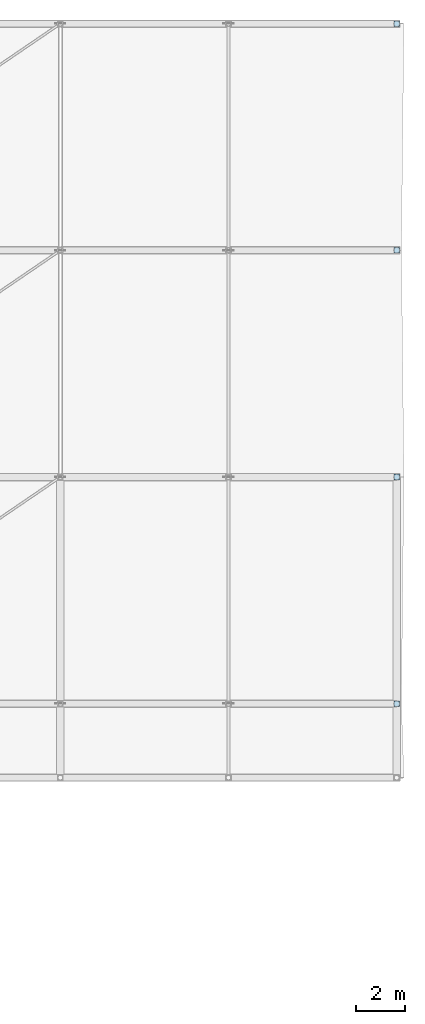
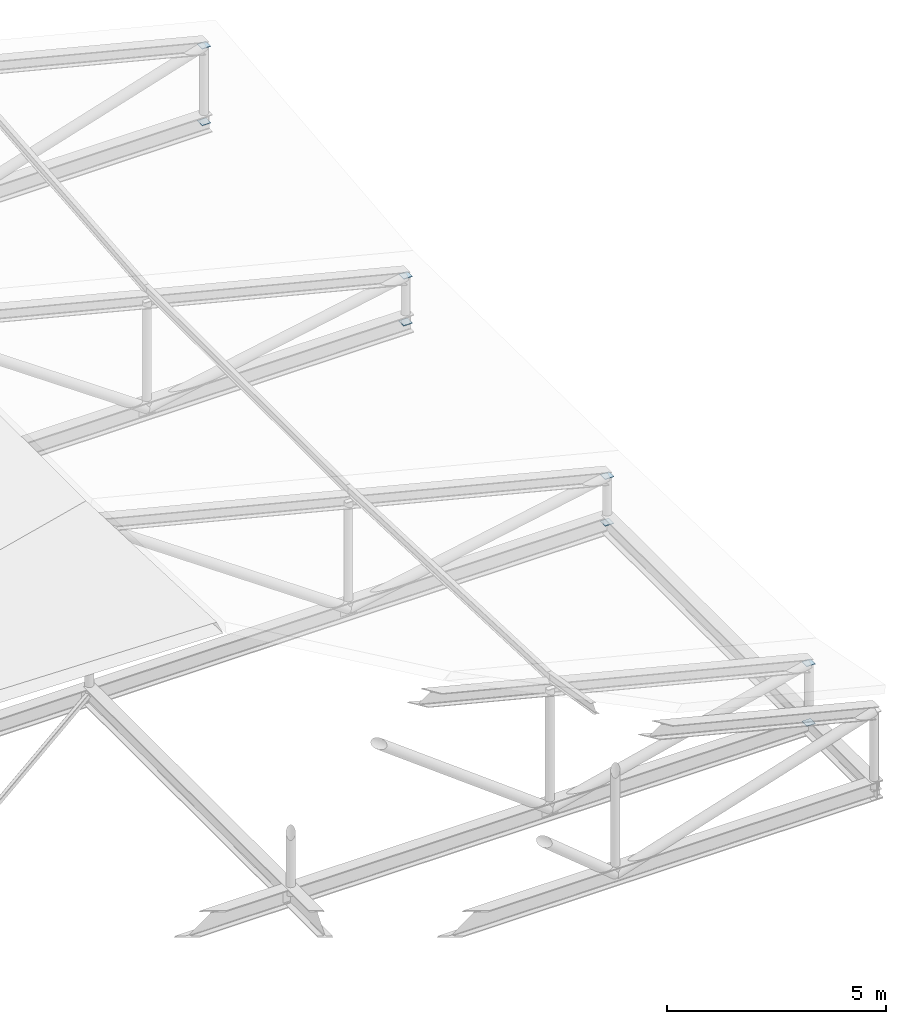
# One storey, part 54 of 56: 8 plates.
"""IFC4 building model written with IfcOpenShell, lengths in metres."""

from ifc_helpers import new_model, si_unit, direction, frame, origin, origin_2d, place, context, subcontext, project, spatial, rectangle, extrude, material, layer, layer_set, type_object, element, save


model = new_model("IFC4")

# Units and contexts
model_context = context("Model", 3, precision=1e-05, world=origin(), true_north=direction((0.0, 1.0)))
body_context = subcontext(model_context, "Body", "Model", "MODEL_VIEW")
ifc_project = project(units=[si_unit("LENGTHUNIT", "METRE"), si_unit("AREAUNIT", "SQUARE_METRE"), si_unit("VOLUMEUNIT", "CUBIC_METRE"), si_unit("PLANEANGLEUNIT", "RADIAN"), si_unit("MASSUNIT", "GRAM", prefix="KILO")], contexts=[model_context])

# Site, building, storey
site_placement = place(None, origin())
site = spatial("IfcSite", under=ifc_project, at=site_placement, CompositionType="ELEMENT")
building_placement = place(site_placement, origin())
building = spatial("IfcBuilding", under=site, at=building_placement, Name="Bozkorgan Art Gallery", CompositionType="ELEMENT")
storey_placement = place(building_placement, frame((0.0, 0.0, 24.0)))
storey = spatial("IfcBuildingStorey", under=building, at=storey_placement, Name="L05", CompositionType="ELEMENT", Elevation=24.0)

# Plates
ifc_material = material(Name="Steel S355J2", Category="steel")
ifc_layer = layer(ifc_material, 0.01611328125, Name="Steel S355J2")
ifc_layer_set = layer_set([ifc_layer], Name="Steel S355J2")
plate_type = type_object("IfcPlateType", Name="PLATE-EC-05", PredefinedType="USERDEFINED", material=ifc_layer_set)
for number, where, z_axis, x_axis, name in (
    (1, (164.14990234375, 66.0, 1.904052734375), (0.0, 0.0, 1.0), (1.0, 0.0, 0.0), "Truss V5 post cap 2.5"),
    (2, (164.14990234375, 66.0, 0.241943359375), (0.0, 0.0, 1.0), (1.0, 0.0, 0.0), "Truss V5 post base cap 2.5"),
    (3, (164.14990234375, 75.199951171875, 1.541015625), (0.0, 0.0, 1.0), (1.0, 0.0, 0.0), "Truss V5 post cap 3.5"),
    (4, (164.14990234375, 75.199951171875, 0.241943359375), (0.0, 0.0, 1.0), (1.0, 0.0, 0.0), "Truss V5 post base cap 3.5"),
    (5, (164.14990234375, 84.39990234375, 1.541015625), (0.0, 0.0, 1.0), (1.0, 0.0, 0.0), "Truss V5 post cap 4.5"),
    (6, (164.14990234375, 84.39990234375, 0.241943359375), (0.0, 0.0, 1.0), (1.0, 0.0, 0.0), "Truss V5 post base cap 4.5"),
    (7, (164.14990234375, 93.60009765625, 2.37548828125), (0.0, 0.0, 1.0), (1.0, 0.0, 0.0), "Truss V5 post cap 5.5"),
    (8, (164.14990234375, 93.60009765625, 0.241943359375), (0.0, 0.0, 1.0), (1.0, 0.0, 0.0), "Truss V5 post base cap 5.5"),
):
    element("IfcPlate", number, at=place(storey_placement, frame(where, z_axis=z_axis, x_axis=x_axis)), inside=storey, type_object=plate_type, Name=name, ObjectType="END CAP PLATE", PredefinedType="USERDEFINED", context=body_context, shape_type="SweptSolid", body=[
        extrude(rectangle(XDim=0.22998046875, YDim=0.22998046875, at=origin_2d()), origin(), (0.0, 0.0, 1.0), 0.01611328125),
    ])

save(model, "model.ifc")
